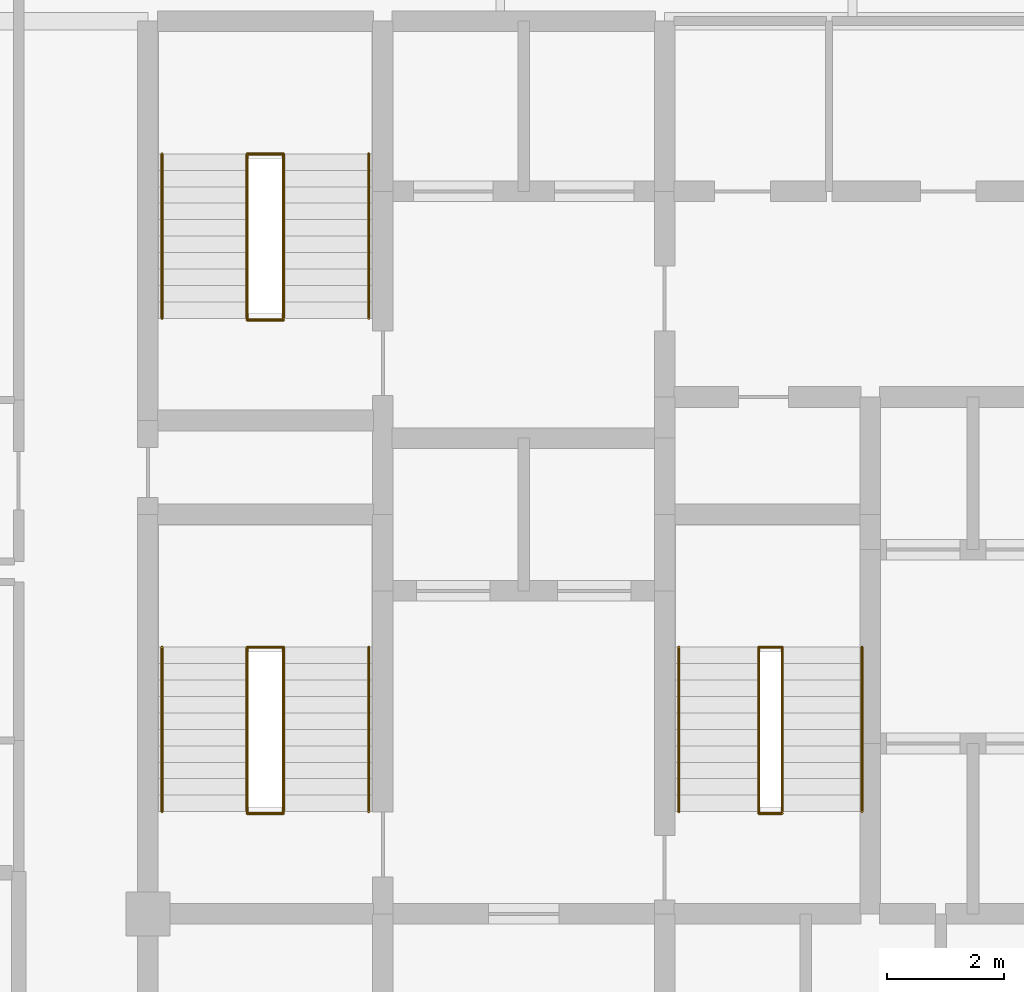
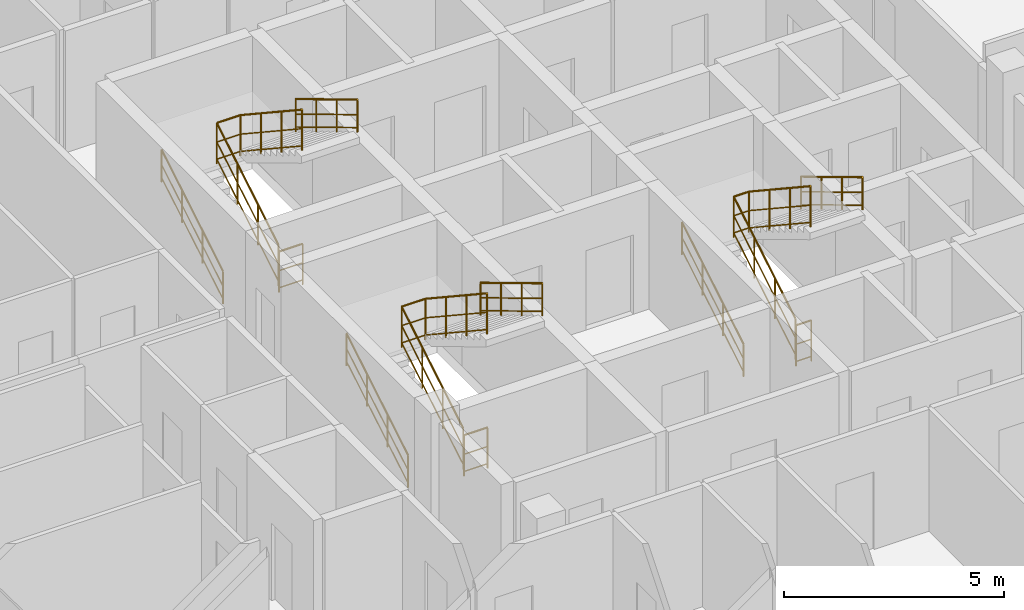
# One storey, part 29 of 29: 12 railings.
"""IFC4 building model written with IfcOpenShell, lengths in metres."""

from ifc_helpers import new_model, si_unit, direction, frame, origin, origin_2d, place, context, subcontext, project, spatial, circle, extrude, material, layer, layer_set, type_object, element, save


model = new_model("IFC4")

# Units and contexts
model_context = context("Model", 3, precision=1e-05, world=origin(), true_north=direction((0.0, 1.0)))
body_context = subcontext(model_context, "Body", "Model", "MODEL_VIEW")
ifc_project = project(units=[si_unit("LENGTHUNIT", "METRE"), si_unit("AREAUNIT", "SQUARE_METRE"), si_unit("VOLUMEUNIT", "CUBIC_METRE"), si_unit("PLANEANGLEUNIT", "RADIAN"), si_unit("MASSUNIT", "GRAM", prefix="KILO")], contexts=[model_context])

# Site, building, storey
site_placement = place(None, origin())
site = spatial("IfcSite", under=ifc_project, at=site_placement, CompositionType="ELEMENT")
building_placement = place(site_placement, origin())
building = spatial("IfcBuilding", under=site, at=building_placement, Name="Keshet Zoharim Tower", CompositionType="ELEMENT")
storey_placement = place(building_placement, frame((0.0, 0.0, 214.300048828125)))
storey = spatial("IfcBuildingStorey", under=building, at=storey_placement, Name="L53", CompositionType="ELEMENT", Elevation=214.300048828125)

# Railings
ifc_material = material(Name="Steel S355", Category="steel")
ifc_layer_1 = layer(ifc_material, 0.050048828125)
ifc_layer_set_1 = layer_set([ifc_layer_1], Name="Steel S355")
railing_type_1 = type_object("IfcRailingType", Name="RL-HND-092", PredefinedType="HANDRAIL", material=ifc_layer_set_1)
railing_1_placement = place(storey_placement, frame((15.239990234375, 24.43994140625, 0.168212890625)))
element("IfcRailing", 1, at=railing_1_placement, inside=storey, type_object=railing_type_1, Name="L53 ST-01 Flight 1 Wall Handrail", PredefinedType="HANDRAIL", context=body_context, shape_type="SweptSolid", body=[
    extrude(circle(Radius=0.02392578125, at=origin_2d()), frame((0.0, 0.0, 0.89599609375), z_axis=(0.0, 0.857275202839, 0.514858452973), x_axis=(-1.0, 0.0, 0.0)), (0.0, 0.0, 1.0), 3.26611328125),
    extrude(circle(Radius=0.01611328125, at=origin_2d()), frame((0.0, 0.0, 0.478271484375), z_axis=(0.0, 0.857275202839, 0.514858452973), x_axis=(-1.0, 0.0, 0.0)), (0.0, 0.0, 1.0), 3.26611328125),
    extrude(circle(Radius=0.01611328125, at=origin_2d()), frame((0.0, 0.0, 0.1201171875), z_axis=(0.0, 0.857275202839, 0.514858452973), x_axis=(-1.0, 0.0, 0.0)), (0.0, 0.0, 1.0), 3.26611328125),
    extrude(circle(Radius=0.02099609375, at=origin_2d()), origin(), (0.0, 0.0, 1.0), 0.871826171875),
    extrude(circle(Radius=0.02099609375, at=origin_2d()), frame((0.0, 0.933349609375, 0.560546875)), (0.0, 0.0, 1.0), 0.871826171875),
    extrude(circle(Radius=0.02099609375, at=origin_2d()), frame((0.0, 1.86669921875, 1.12109375)), (0.0, 0.0, 1.0), 0.871826171875),
    extrude(circle(Radius=0.02099609375, at=origin_2d()), frame((0.0, 2.800048828125, 1.681640625)), (0.0, 0.0, 1.0), 0.871826171875),
])
railing_2_placement = place(storey_placement, frame((18.760009765625, 27.239990234375, 2.01806640625)))
element("IfcRailing", 2, at=railing_2_placement, inside=storey, type_object=railing_type_1, Name="L53 ST-01 Flight 2 Wall Handrail", PredefinedType="HANDRAIL", context=body_context, shape_type="SweptSolid", body=[
    extrude(circle(Radius=0.02392578125, at=origin_2d()), frame((0.0, 0.0, 0.89599609375), z_axis=(0.0, -0.857242210791, 0.514913383045), x_axis=(1.0, 0.0, 0.0)), (0.0, 0.0, 1.0), 3.266357421875),
    extrude(circle(Radius=0.01611328125, at=origin_2d()), frame((0.0, 0.0, 0.478271484375), z_axis=(0.0, -0.857242210791, 0.514913383045), x_axis=(1.0, 0.0, 0.0)), (0.0, 0.0, 1.0), 3.266357421875),
    extrude(circle(Radius=0.01611328125, at=origin_2d()), frame((0.0, 0.0, 0.1201171875), z_axis=(0.0, -0.857242210791, 0.514913383045), x_axis=(1.0, 0.0, 0.0)), (0.0, 0.0, 1.0), 3.266357421875),
    extrude(circle(Radius=0.02099609375, at=origin_2d()), origin(), (0.0, 0.0, 1.0), 0.871826171875),
    extrude(circle(Radius=0.02099609375, at=origin_2d()), frame((0.0, -0.933349609375, 0.560546875)), (0.0, 0.0, 1.0), 0.871826171875),
    extrude(circle(Radius=0.02099609375, at=origin_2d()), frame((0.0, -1.86669921875, 1.121337890625)), (0.0, 0.0, 1.0), 0.871826171875),
    extrude(circle(Radius=0.02099609375, at=origin_2d()), frame((0.0, -2.800048828125, 1.681884765625)), (0.0, 0.0, 1.0), 0.871826171875),
])
railing_3_placement = place(storey_placement, frame((15.239990234375, 32.840087890625, 0.168212890625)))
element("IfcRailing", 3, at=railing_3_placement, inside=storey, type_object=railing_type_1, Name="L53 ST-02 Flight 1 Wall Handrail", PredefinedType="HANDRAIL", context=body_context, shape_type="SweptSolid", body=[
    extrude(circle(Radius=0.02392578125, at=origin_2d()), frame((0.0, 0.0, 0.89599609375), z_axis=(0.0, 0.857255387014, 0.514891446264), x_axis=(-1.0, 0.0, 0.0)), (0.0, 0.0, 1.0), 3.26611328125),
    extrude(circle(Radius=0.01611328125, at=origin_2d()), frame((0.0, 0.0, 0.478271484375), z_axis=(0.0, 0.857255387014, 0.514891446264), x_axis=(-1.0, 0.0, 0.0)), (0.0, 0.0, 1.0), 3.26611328125),
    extrude(circle(Radius=0.01611328125, at=origin_2d()), frame((0.0, 0.0, 0.1201171875), z_axis=(0.0, 0.857255387014, 0.514891446264), x_axis=(-1.0, 0.0, 0.0)), (0.0, 0.0, 1.0), 3.26611328125),
    extrude(circle(Radius=0.02099609375, at=origin_2d()), origin(), (0.0, 0.0, 1.0), 0.871826171875),
    extrude(circle(Radius=0.02099609375, at=origin_2d()), frame((0.0, 0.933349609375, 0.560546875)), (0.0, 0.0, 1.0), 0.871826171875),
    extrude(circle(Radius=0.02099609375, at=origin_2d()), frame((0.0, 1.866455078125, 1.12109375)), (0.0, 0.0, 1.0), 0.871826171875),
    extrude(circle(Radius=0.02099609375, at=origin_2d()), frame((0.0, 2.7998046875, 1.681640625)), (0.0, 0.0, 1.0), 0.871826171875),
])
railing_4_placement = place(storey_placement, frame((18.760009765625, 35.639892578125, 2.01806640625)))
element("IfcRailing", 4, at=railing_4_placement, inside=storey, type_object=railing_type_1, Name="L53 ST-02 Flight 2 Wall Handrail", PredefinedType="HANDRAIL", context=body_context, shape_type="SweptSolid", body=[
    extrude(circle(Radius=0.02392578125, at=origin_2d()), frame((0.0, 0.0, 0.89599609375), z_axis=(0.0, -0.857222391501, 0.514946377315), x_axis=(1.0, 0.0, 0.0)), (0.0, 0.0, 1.0), 3.26611328125),
    extrude(circle(Radius=0.01611328125, at=origin_2d()), frame((0.0, 0.0, 0.478271484375), z_axis=(0.0, -0.857222391501, 0.514946377315), x_axis=(1.0, 0.0, 0.0)), (0.0, 0.0, 1.0), 3.26611328125),
    extrude(circle(Radius=0.01611328125, at=origin_2d()), frame((0.0, 0.0, 0.1201171875), z_axis=(0.0, -0.857222391501, 0.514946377315), x_axis=(1.0, 0.0, 0.0)), (0.0, 0.0, 1.0), 3.26611328125),
    extrude(circle(Radius=0.02099609375, at=origin_2d()), origin(), (0.0, 0.0, 1.0), 0.871826171875),
    extrude(circle(Radius=0.02099609375, at=origin_2d()), frame((0.0, -0.933349609375, 0.560546875)), (0.0, 0.0, 1.0), 0.871826171875),
    extrude(circle(Radius=0.02099609375, at=origin_2d()), frame((0.0, -1.866455078125, 1.121337890625)), (0.0, 0.0, 1.0), 0.871826171875),
    extrude(circle(Radius=0.02099609375, at=origin_2d()), frame((0.0, -2.7998046875, 1.681884765625)), (0.0, 0.0, 1.0), 0.871826171875),
])
railing_5_placement = place(storey_placement, frame((24.0400390625, 24.43994140625, 0.168212890625)))
element("IfcRailing", 5, at=railing_5_placement, inside=storey, type_object=railing_type_1, Name="L53 ST-03 Flight 1 Wall Handrail", PredefinedType="HANDRAIL", context=body_context, shape_type="SweptSolid", body=[
    extrude(circle(Radius=0.02392578125, at=origin_2d()), frame((0.0, 0.0, 0.89599609375), z_axis=(0.0, 0.857275202839, 0.514858452973), x_axis=(-1.0, 0.0, 0.0)), (0.0, 0.0, 1.0), 3.26611328125),
    extrude(circle(Radius=0.01611328125, at=origin_2d()), frame((0.0, 0.0, 0.478271484375), z_axis=(0.0, 0.857275202839, 0.514858452973), x_axis=(-1.0, 0.0, 0.0)), (0.0, 0.0, 1.0), 3.26611328125),
    extrude(circle(Radius=0.01611328125, at=origin_2d()), frame((0.0, 0.0, 0.1201171875), z_axis=(0.0, 0.857275202839, 0.514858452973), x_axis=(-1.0, 0.0, 0.0)), (0.0, 0.0, 1.0), 3.26611328125),
    extrude(circle(Radius=0.02099609375, at=origin_2d()), origin(), (0.0, 0.0, 1.0), 0.871826171875),
    extrude(circle(Radius=0.02099609375, at=origin_2d()), frame((0.0, 0.933349609375, 0.560546875)), (0.0, 0.0, 1.0), 0.871826171875),
    extrude(circle(Radius=0.02099609375, at=origin_2d()), frame((0.0, 1.86669921875, 1.12109375)), (0.0, 0.0, 1.0), 0.871826171875),
    extrude(circle(Radius=0.02099609375, at=origin_2d()), frame((0.0, 2.800048828125, 1.681640625)), (0.0, 0.0, 1.0), 0.871826171875),
])
railing_6_placement = place(storey_placement, frame((27.159912109375, 27.239990234375, 2.01806640625)))
element("IfcRailing", 6, at=railing_6_placement, inside=storey, type_object=railing_type_1, Name="L53 ST-03 Flight 2 Wall Handrail", PredefinedType="HANDRAIL", context=body_context, shape_type="SweptSolid", body=[
    extrude(circle(Radius=0.02392578125, at=origin_2d()), frame((0.0, 0.0, 0.89599609375), z_axis=(0.0, -0.857242210791, 0.514913383045), x_axis=(1.0, 0.0, 0.0)), (0.0, 0.0, 1.0), 3.266357421875),
    extrude(circle(Radius=0.01611328125, at=origin_2d()), frame((0.0, 0.0, 0.478271484375), z_axis=(0.0, -0.857242210791, 0.514913383045), x_axis=(1.0, 0.0, 0.0)), (0.0, 0.0, 1.0), 3.266357421875),
    extrude(circle(Radius=0.01611328125, at=origin_2d()), frame((0.0, 0.0, 0.1201171875), z_axis=(0.0, -0.857242210791, 0.514913383045), x_axis=(1.0, 0.0, 0.0)), (0.0, 0.0, 1.0), 3.266357421875),
    extrude(circle(Radius=0.02099609375, at=origin_2d()), origin(), (0.0, 0.0, 1.0), 0.871826171875),
    extrude(circle(Radius=0.02099609375, at=origin_2d()), frame((0.0, -0.933349609375, 0.560546875)), (0.0, 0.0, 1.0), 0.871826171875),
    extrude(circle(Radius=0.02099609375, at=origin_2d()), frame((0.0, -1.86669921875, 1.121337890625)), (0.0, 0.0, 1.0), 0.871826171875),
    extrude(circle(Radius=0.02099609375, at=origin_2d()), frame((0.0, -2.800048828125, 1.681884765625)), (0.0, 0.0, 1.0), 0.871826171875),
])
ifc_layer_2 = layer(ifc_material, 0.06005859375)
ifc_layer_set_2 = layer_set([ifc_layer_2], Name="Steel S355")
railing_type_2 = type_object("IfcRailingType", Name="RL-STG-115", PredefinedType="GUARDRAIL", material=ifc_layer_set_2)
railing_7_placement = place(storey_placement, frame((16.68994140625, 24.43994140625, 0.168212890625)))
element("IfcRailing", 7, at=railing_7_placement, inside=storey, type_object=railing_type_2, Name="L53 ST-01 Inner Well Guardrail", PredefinedType="GUARDRAIL", context=body_context, shape_type="SweptSolid", body=[
    extrude(circle(Radius=0.02392578125, at=origin_2d()), frame((0.0, 0.0, 1.1259765625), z_axis=(0.0, 0.857275202839, 0.514858452973), x_axis=(-1.0, 0.0, 0.0)), (0.0, 0.0, 1.0), 3.26611328125),
    extrude(circle(Radius=0.01611328125, at=origin_2d()), frame((0.0, 0.0, 0.597900390625), z_axis=(0.0, 0.857275202839, 0.514858452973), x_axis=(-1.0, 0.0, 0.0)), (0.0, 0.0, 1.0), 3.26611328125),
    extrude(circle(Radius=0.01611328125, at=origin_2d()), frame((0.0, 0.0, 0.1201171875), z_axis=(0.0, 0.857275202839, 0.514858452973), x_axis=(-1.0, 0.0, 0.0)), (0.0, 0.0, 1.0), 3.26611328125),
    extrude(circle(Radius=0.02392578125, at=origin_2d()), frame((0.0, 2.800048828125, 2.8076171875), z_axis=(1.0, 0.0, 0.0), x_axis=(0.0, 1.0, 0.0)), (0.0, 0.0, 1.0), 0.6201171875),
    extrude(circle(Radius=0.01611328125, at=origin_2d()), frame((0.0, 2.800048828125, 2.279541015625), z_axis=(1.0, 0.0, 0.0), x_axis=(0.0, 1.0, 0.0)), (0.0, 0.0, 1.0), 0.6201171875),
    extrude(circle(Radius=0.01611328125, at=origin_2d()), frame((0.0, 2.800048828125, 1.8017578125), z_axis=(1.0, 0.0, 0.0), x_axis=(0.0, 1.0, 0.0)), (0.0, 0.0, 1.0), 0.6201171875),
    extrude(circle(Radius=0.02392578125, at=origin_2d()), frame((0.6201171875, 2.800048828125, 2.8076171875), z_axis=(0.0, -0.834326358476, 0.551270829586), x_axis=(1.0, 0.0, 0.0)), (0.0, 0.0, 1.0), 3.35595703125),
    extrude(circle(Radius=0.01611328125, at=origin_2d()), frame((0.6201171875, 2.800048828125, 2.279541015625), z_axis=(0.0, -0.834326358476, 0.551270829586), x_axis=(1.0, 0.0, 0.0)), (0.0, 0.0, 1.0), 3.35595703125),
    extrude(circle(Radius=0.01611328125, at=origin_2d()), frame((0.6201171875, 2.800048828125, 1.8017578125), z_axis=(0.0, -0.834326358476, 0.551270829586), x_axis=(1.0, 0.0, 0.0)), (0.0, 0.0, 1.0), 3.35595703125),
    extrude(circle(Radius=0.02099609375, at=origin_2d()), origin(), (0.0, 0.0, 1.0), 1.101806640625),
    extrude(circle(Radius=0.02099609375, at=origin_2d()), frame((0.0, 0.933349609375, 0.560546875)), (0.0, 0.0, 1.0), 1.101806640625),
    extrude(circle(Radius=0.02099609375, at=origin_2d()), frame((0.0, 1.86669921875, 1.12109375)), (0.0, 0.0, 1.0), 1.101806640625),
    extrude(circle(Radius=0.02099609375, at=origin_2d()), frame((0.0, 2.800048828125, 1.681640625)), (0.0, 0.0, 1.0), 1.101806640625),
    extrude(circle(Radius=0.02099609375, at=origin_2d()), frame((0.6201171875, 2.800048828125, 1.681640625)), (0.0, 0.0, 1.0), 1.101806640625),
    extrude(circle(Radius=0.02099609375, at=origin_2d()), frame((0.6201171875, 1.86669921875, 2.29833984375)), (0.0, 0.0, 1.0), 1.101806640625),
    extrude(circle(Radius=0.02099609375, at=origin_2d()), frame((0.6201171875, 0.933349609375, 2.9150390625)), (0.0, 0.0, 1.0), 1.101806640625),
    extrude(circle(Radius=0.02099609375, at=origin_2d()), frame((0.6201171875, 0.0, 3.53173828125)), (0.0, 0.0, 1.0), 1.101806640625),
])
railing_8_placement = place(storey_placement, frame((16.68994140625, 24.409912109375, 0.0)))
element("IfcRailing", 8, at=railing_8_placement, inside=storey, type_object=railing_type_2, Name="L53 ST-01 Stairwell Floor Guardrail", PredefinedType="GUARDRAIL", context=body_context, shape_type="SweptSolid", body=[
    extrude(circle(Radius=0.02392578125, at=origin_2d()), frame((0.0, 0.0, 1.1259765625), z_axis=(1.0, 0.0, 0.0), x_axis=(0.0, 1.0, 0.0)), (0.0, 0.0, 1.0), 0.6201171875),
    extrude(circle(Radius=0.01611328125, at=origin_2d()), frame((0.0, 0.0, 0.597900390625), z_axis=(1.0, 0.0, 0.0), x_axis=(0.0, 1.0, 0.0)), (0.0, 0.0, 1.0), 0.6201171875),
    extrude(circle(Radius=0.01611328125, at=origin_2d()), frame((0.0, 0.0, 0.1201171875), z_axis=(1.0, 0.0, 0.0), x_axis=(0.0, 1.0, 0.0)), (0.0, 0.0, 1.0), 0.6201171875),
    extrude(circle(Radius=0.02099609375, at=origin_2d()), origin(), (0.0, 0.0, 1.0), 1.101806640625),
    extrude(circle(Radius=0.02099609375, at=origin_2d()), frame((0.6201171875, 0.0, 0.0)), (0.0, 0.0, 1.0), 1.101806640625),
])
railing_9_placement = place(storey_placement, frame((16.68994140625, 32.840087890625, 0.168212890625)))
element("IfcRailing", 9, at=railing_9_placement, inside=storey, type_object=railing_type_2, Name="L53 ST-02 Inner Well Guardrail", PredefinedType="GUARDRAIL", context=body_context, shape_type="SweptSolid", body=[
    extrude(circle(Radius=0.02392578125, at=origin_2d()), frame((0.0, 0.0, 1.1259765625), z_axis=(0.0, 0.857255387014, 0.514891446264), x_axis=(-1.0, 0.0, 0.0)), (0.0, 0.0, 1.0), 3.26611328125),
    extrude(circle(Radius=0.01611328125, at=origin_2d()), frame((0.0, 0.0, 0.597900390625), z_axis=(0.0, 0.857255387014, 0.514891446264), x_axis=(-1.0, 0.0, 0.0)), (0.0, 0.0, 1.0), 3.26611328125),
    extrude(circle(Radius=0.01611328125, at=origin_2d()), frame((0.0, 0.0, 0.1201171875), z_axis=(0.0, 0.857255387014, 0.514891446264), x_axis=(-1.0, 0.0, 0.0)), (0.0, 0.0, 1.0), 3.26611328125),
    extrude(circle(Radius=0.02392578125, at=origin_2d()), frame((0.0, 2.7998046875, 2.8076171875), z_axis=(1.0, 0.0, 0.0), x_axis=(0.0, 1.0, 0.0)), (0.0, 0.0, 1.0), 0.6201171875),
    extrude(circle(Radius=0.01611328125, at=origin_2d()), frame((0.0, 2.7998046875, 2.279541015625), z_axis=(1.0, 0.0, 0.0), x_axis=(0.0, 1.0, 0.0)), (0.0, 0.0, 1.0), 0.6201171875),
    extrude(circle(Radius=0.01611328125, at=origin_2d()), frame((0.0, 2.7998046875, 1.8017578125), z_axis=(1.0, 0.0, 0.0), x_axis=(0.0, 1.0, 0.0)), (0.0, 0.0, 1.0), 0.6201171875),
    extrude(circle(Radius=0.02392578125, at=origin_2d()), frame((0.6201171875, 2.7998046875, 2.8076171875), z_axis=(0.0, -0.834304248922, 0.551304290053), x_axis=(1.0, 0.0, 0.0)), (0.0, 0.0, 1.0), 3.35595703125),
    extrude(circle(Radius=0.01611328125, at=origin_2d()), frame((0.6201171875, 2.7998046875, 2.279541015625), z_axis=(0.0, -0.834304248922, 0.551304290053), x_axis=(1.0, 0.0, 0.0)), (0.0, 0.0, 1.0), 3.35595703125),
    extrude(circle(Radius=0.01611328125, at=origin_2d()), frame((0.6201171875, 2.7998046875, 1.8017578125), z_axis=(0.0, -0.834304248922, 0.551304290053), x_axis=(1.0, 0.0, 0.0)), (0.0, 0.0, 1.0), 3.35595703125),
    extrude(circle(Radius=0.02099609375, at=origin_2d()), origin(), (0.0, 0.0, 1.0), 1.101806640625),
    extrude(circle(Radius=0.02099609375, at=origin_2d()), frame((0.0, 0.933349609375, 0.560546875)), (0.0, 0.0, 1.0), 1.101806640625),
    extrude(circle(Radius=0.02099609375, at=origin_2d()), frame((0.0, 1.866455078125, 1.12109375)), (0.0, 0.0, 1.0), 1.101806640625),
    extrude(circle(Radius=0.02099609375, at=origin_2d()), frame((0.0, 2.7998046875, 1.681640625)), (0.0, 0.0, 1.0), 1.101806640625),
    extrude(circle(Radius=0.02099609375, at=origin_2d()), frame((0.6201171875, 2.7998046875, 1.681640625)), (0.0, 0.0, 1.0), 1.101806640625),
    extrude(circle(Radius=0.02099609375, at=origin_2d()), frame((0.6201171875, 1.866455078125, 2.29833984375)), (0.0, 0.0, 1.0), 1.101806640625),
    extrude(circle(Radius=0.02099609375, at=origin_2d()), frame((0.6201171875, 0.933349609375, 2.9150390625)), (0.0, 0.0, 1.0), 1.101806640625),
    extrude(circle(Radius=0.02099609375, at=origin_2d()), frame((0.6201171875, 0.0, 3.53173828125)), (0.0, 0.0, 1.0), 1.101806640625),
])
railing_10_placement = place(storey_placement, frame((16.68994140625, 32.81005859375, 0.0)))
element("IfcRailing", 10, at=railing_10_placement, inside=storey, type_object=railing_type_2, Name="L53 ST-02 Stairwell Floor Guardrail", PredefinedType="GUARDRAIL", context=body_context, shape_type="SweptSolid", body=[
    extrude(circle(Radius=0.02392578125, at=origin_2d()), frame((0.0, 0.0, 1.1259765625), z_axis=(1.0, 0.0, 0.0), x_axis=(0.0, 1.0, 0.0)), (0.0, 0.0, 1.0), 0.6201171875),
    extrude(circle(Radius=0.01611328125, at=origin_2d()), frame((0.0, 0.0, 0.597900390625), z_axis=(1.0, 0.0, 0.0), x_axis=(0.0, 1.0, 0.0)), (0.0, 0.0, 1.0), 0.6201171875),
    extrude(circle(Radius=0.01611328125, at=origin_2d()), frame((0.0, 0.0, 0.1201171875), z_axis=(1.0, 0.0, 0.0), x_axis=(0.0, 1.0, 0.0)), (0.0, 0.0, 1.0), 0.6201171875),
    extrude(circle(Radius=0.02099609375, at=origin_2d()), origin(), (0.0, 0.0, 1.0), 1.101806640625),
    extrude(circle(Radius=0.02099609375, at=origin_2d()), frame((0.6201171875, 0.0, 0.0)), (0.0, 0.0, 1.0), 1.101806640625),
])
railing_11_placement = place(storey_placement, frame((25.39990234375, 24.43994140625, 0.168212890625)))
element("IfcRailing", 11, at=railing_11_placement, inside=storey, type_object=railing_type_2, Name="L53 ST-03 Inner Well Guardrail", PredefinedType="GUARDRAIL", context=body_context, shape_type="SweptSolid", body=[
    extrude(circle(Radius=0.02392578125, at=origin_2d()), frame((0.0, 0.0, 1.1259765625), z_axis=(0.0, 0.857275202839, 0.514858452973), x_axis=(-1.0, 0.0, 0.0)), (0.0, 0.0, 1.0), 3.26611328125),
    extrude(circle(Radius=0.01611328125, at=origin_2d()), frame((0.0, 0.0, 0.597900390625), z_axis=(0.0, 0.857275202839, 0.514858452973), x_axis=(-1.0, 0.0, 0.0)), (0.0, 0.0, 1.0), 3.26611328125),
    extrude(circle(Radius=0.01611328125, at=origin_2d()), frame((0.0, 0.0, 0.1201171875), z_axis=(0.0, 0.857275202839, 0.514858452973), x_axis=(-1.0, 0.0, 0.0)), (0.0, 0.0, 1.0), 3.26611328125),
    extrude(circle(Radius=0.02392578125, at=origin_2d()), frame((0.0, 2.800048828125, 2.8076171875), z_axis=(1.0, 0.0, 0.0), x_axis=(0.0, 1.0, 0.0)), (0.0, 0.0, 1.0), 0.400146484375),
    extrude(circle(Radius=0.01611328125, at=origin_2d()), frame((0.0, 2.800048828125, 2.279541015625), z_axis=(1.0, 0.0, 0.0), x_axis=(0.0, 1.0, 0.0)), (0.0, 0.0, 1.0), 0.400146484375),
    extrude(circle(Radius=0.01611328125, at=origin_2d()), frame((0.0, 2.800048828125, 1.8017578125), z_axis=(1.0, 0.0, 0.0), x_axis=(0.0, 1.0, 0.0)), (0.0, 0.0, 1.0), 0.400146484375),
    extrude(circle(Radius=0.02392578125, at=origin_2d()), frame((0.400146484375, 2.800048828125, 2.8076171875), z_axis=(0.0, -0.834326358476, 0.551270829586), x_axis=(1.0, 0.0, 0.0)), (0.0, 0.0, 1.0), 3.35595703125),
    extrude(circle(Radius=0.01611328125, at=origin_2d()), frame((0.400146484375, 2.800048828125, 2.279541015625), z_axis=(0.0, -0.834326358476, 0.551270829586), x_axis=(1.0, 0.0, 0.0)), (0.0, 0.0, 1.0), 3.35595703125),
    extrude(circle(Radius=0.01611328125, at=origin_2d()), frame((0.400146484375, 2.800048828125, 1.8017578125), z_axis=(0.0, -0.834326358476, 0.551270829586), x_axis=(1.0, 0.0, 0.0)), (0.0, 0.0, 1.0), 3.35595703125),
    extrude(circle(Radius=0.02099609375, at=origin_2d()), origin(), (0.0, 0.0, 1.0), 1.101806640625),
    extrude(circle(Radius=0.02099609375, at=origin_2d()), frame((0.0, 0.933349609375, 0.560546875)), (0.0, 0.0, 1.0), 1.101806640625),
    extrude(circle(Radius=0.02099609375, at=origin_2d()), frame((0.0, 1.86669921875, 1.12109375)), (0.0, 0.0, 1.0), 1.101806640625),
    extrude(circle(Radius=0.02099609375, at=origin_2d()), frame((0.0, 2.800048828125, 1.681640625)), (0.0, 0.0, 1.0), 1.101806640625),
    extrude(circle(Radius=0.02099609375, at=origin_2d()), frame((0.400146484375, 2.800048828125, 1.681640625)), (0.0, 0.0, 1.0), 1.101806640625),
    extrude(circle(Radius=0.02099609375, at=origin_2d()), frame((0.400146484375, 1.86669921875, 2.29833984375)), (0.0, 0.0, 1.0), 1.101806640625),
    extrude(circle(Radius=0.02099609375, at=origin_2d()), frame((0.400146484375, 0.933349609375, 2.9150390625)), (0.0, 0.0, 1.0), 1.101806640625),
    extrude(circle(Radius=0.02099609375, at=origin_2d()), frame((0.400146484375, 0.0, 3.53173828125)), (0.0, 0.0, 1.0), 1.101806640625),
])
railing_12_placement = place(storey_placement, frame((25.39990234375, 24.409912109375, 0.0)))
element("IfcRailing", 12, at=railing_12_placement, inside=storey, type_object=railing_type_2, Name="L53 ST-03 Stairwell Floor Guardrail", PredefinedType="GUARDRAIL", context=body_context, shape_type="SweptSolid", body=[
    extrude(circle(Radius=0.02392578125, at=origin_2d()), frame((0.0, 0.0, 1.1259765625), z_axis=(1.0, 0.0, 0.0), x_axis=(0.0, 1.0, 0.0)), (0.0, 0.0, 1.0), 0.400146484375),
    extrude(circle(Radius=0.01611328125, at=origin_2d()), frame((0.0, 0.0, 0.597900390625), z_axis=(1.0, 0.0, 0.0), x_axis=(0.0, 1.0, 0.0)), (0.0, 0.0, 1.0), 0.400146484375),
    extrude(circle(Radius=0.01611328125, at=origin_2d()), frame((0.0, 0.0, 0.1201171875), z_axis=(1.0, 0.0, 0.0), x_axis=(0.0, 1.0, 0.0)), (0.0, 0.0, 1.0), 0.400146484375),
    extrude(circle(Radius=0.02099609375, at=origin_2d()), origin(), (0.0, 0.0, 1.0), 1.101806640625),
    extrude(circle(Radius=0.02099609375, at=origin_2d()), frame((0.400146484375, 0.0, 0.0)), (0.0, 0.0, 1.0), 1.101806640625),
])

save(model, "model.ifc")
